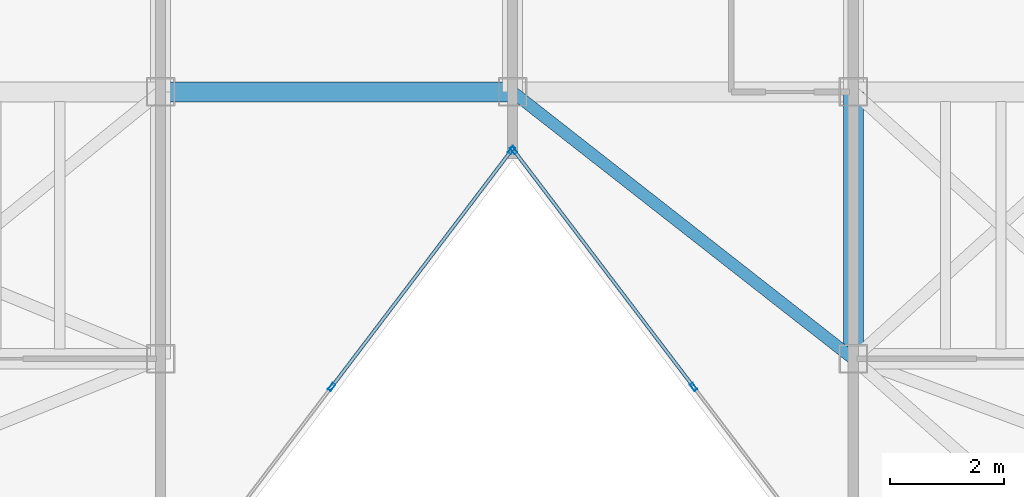
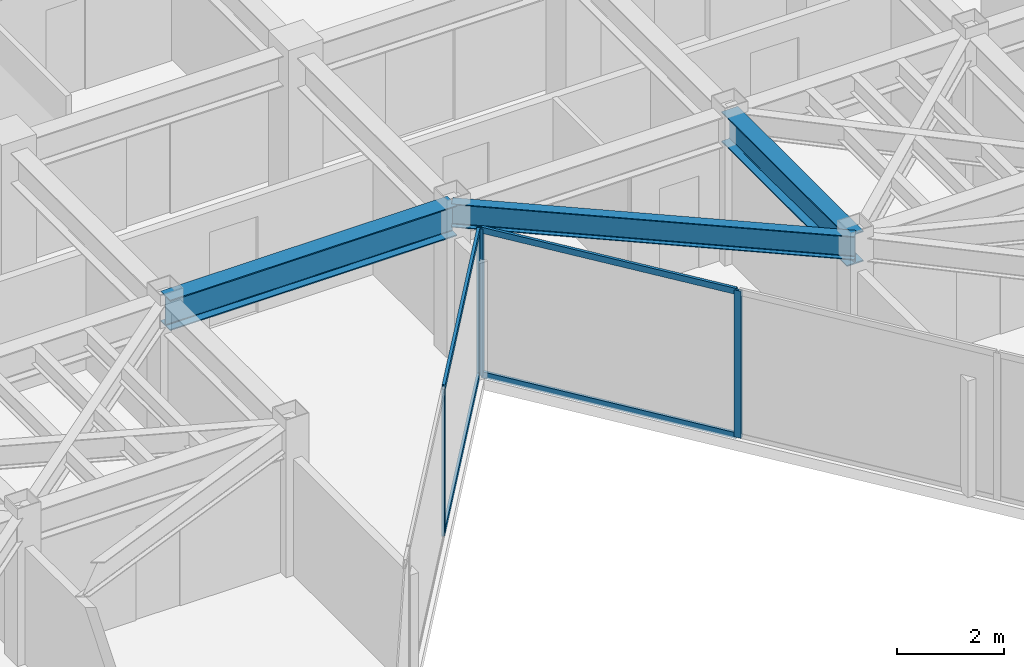
# One storey, part 7 of 17: 8 members, 3 beams, 2 elements without a shape of their own.
"""IFC4 building model written with IfcOpenShell, lengths in metres."""

from ifc_helpers import new_model, si_unit, direction, frame, origin, origin_2d, place, context, subcontext, project, spatial, hollow_rectangle, i_section, extrude, material, layer, layer_set, material_profile, profile_set, type_object, element, aggregate, save


model = new_model("IFC4")

# Units and contexts
model_context = context("Model", 3, precision=1e-05, world=origin(), true_north=direction((0.0, 1.0)))
body_context = subcontext(model_context, "Body", "Model", "MODEL_VIEW")
ifc_project = project(units=[si_unit("LENGTHUNIT", "METRE"), si_unit("AREAUNIT", "SQUARE_METRE"), si_unit("VOLUMEUNIT", "CUBIC_METRE"), si_unit("PLANEANGLEUNIT", "RADIAN"), si_unit("MASSUNIT", "GRAM", prefix="KILO")], contexts=[model_context])

# Site, building, storey
site_placement = place(None, origin())
site = spatial("IfcSite", under=ifc_project, at=site_placement, CompositionType="ELEMENT")
building_placement = place(site_placement, origin())
building = spatial("IfcBuilding", under=site, at=building_placement, Name="Kravanh Interchange Tower", CompositionType="ELEMENT")
storey_placement = place(building_placement, frame((0.0, 0.0, 256.199951171875)))
storey = spatial("IfcBuildingStorey", under=building, at=storey_placement, Name="L62", CompositionType="ELEMENT", Elevation=256.199951171875)

# Curtain wall, members
ifc_material_1 = material(Name="Anodised Bronze Aluminium", Category="aluminium")
ifc_layer = layer(ifc_material_1, 0.179931640625)
ifc_layer_set = layer_set([ifc_layer], Name="Unitised Curtain Wall System CW-HTL Luxury Hotel")
curtain_wall_type = type_object("IfcCurtainWallType", Name="Unitised Curtain Wall System CW-HTL Luxury Hotel", PredefinedType="NOTDEFINED", material=ifc_layer_set)
curtain_wall_1_placement = place(storey_placement, origin())
curtain_wall_1 = element("IfcCurtainWall", 1, at=curtain_wall_1_placement, inside=storey, type_object=curtain_wall_type, Name="L62 Unitised Curtain Wall CW-L62-03", PredefinedType="NOTDEFINED")
ifc_material_2 = material(Name="Anodised Bronze Aluminium", Category="aluminium")
ifc_material_profile_1 = material_profile(ifc_material_2, hollow_rectangle(XDim=0.06005859375, YDim=0.139892578125, WallThickness=0.00390625, at=origin_2d()), Name="ALU60X140X4")
ifc_profile_set_1 = profile_set([ifc_material_profile_1], Name="Anodised Bronze Aluminium")
member_type_1 = type_object("IfcMemberType", Name="Curtain Wall Mullion ALU60X140X4 Bronze", PredefinedType="MULLION", material=ifc_profile_set_1)
member_1_placement = place(storey_placement, frame((47.986572265625, 26.305419921875, 0.0), z_axis=(0.0, 0.0, 1.0), x_axis=(-0.79616243806, -0.605082946564, 0.0)))
member_1 = element("IfcMember", 2, at=member_1_placement, type_object=member_type_1, Name="CW-HTL mullion 3", PredefinedType="MULLION", context=body_context, shape_type="SweptSolid", body=[
    extrude(hollow_rectangle(XDim=0.06005859375, YDim=0.139892578125, WallThickness=0.00390625, at=origin_2d()), origin(), (0.0, 0.0, 1.0), 3.360107421875),
])
member_2_placement = place(storey_placement, frame((44.818115234375, 30.474365234375, 0.0), z_axis=(0.0, 0.0, 1.0), x_axis=(-0.79616243806, -0.605082946564, 0.0)))
member_2 = element("IfcMember", 3, at=member_2_placement, type_object=member_type_1, Name="CW-HTL mullion 4", PredefinedType="MULLION", context=body_context, shape_type="SweptSolid", body=[
    extrude(hollow_rectangle(XDim=0.06005859375, YDim=0.139892578125, WallThickness=0.00390625, at=origin_2d()), origin(), (0.0, 0.0, 1.0), 3.360107421875),
])

curtain_wall_2_placement = place(storey_placement, origin())
curtain_wall_2 = element("IfcCurtainWall", 4, at=curtain_wall_2_placement, inside=storey, type_object=curtain_wall_type, Name="L62 Unitised Curtain Wall CW-L62-04", PredefinedType="NOTDEFINED")
member_3_placement = place(storey_placement, frame((44.78173828125, 30.474365234375, 0.0), z_axis=(0.0, 0.0, 1.0), x_axis=(0.79616243806, -0.605082946564, 0.0)))
member_3 = element("IfcMember", 5, at=member_3_placement, type_object=member_type_1, Name="CW-HTL mullion 1", PredefinedType="MULLION", context=body_context, shape_type="SweptSolid", body=[
    extrude(hollow_rectangle(XDim=0.06005859375, YDim=0.139892578125, WallThickness=0.00390625, at=origin_2d()), origin(), (0.0, 0.0, 1.0), 3.360107421875),
])
member_4_placement = place(storey_placement, frame((41.613525390625, 26.305419921875, 0.0), z_axis=(0.0, 0.0, 1.0), x_axis=(0.79616243806, -0.605082946564, 0.0)))
member_4 = element("IfcMember", 6, at=member_4_placement, type_object=member_type_1, Name="CW-HTL mullion 2", PredefinedType="MULLION", context=body_context, shape_type="SweptSolid", body=[
    extrude(hollow_rectangle(XDim=0.06005859375, YDim=0.139892578125, WallThickness=0.00390625, at=origin_2d()), origin(), (0.0, 0.0, 1.0), 3.360107421875),
])

# Member
ifc_material_3 = material(Name="Anodised Bronze Aluminium", Category="aluminium")
ifc_material_profile_2 = material_profile(ifc_material_3, hollow_rectangle(XDim=0.06005859375, YDim=0.139892578125, WallThickness=0.00390625, at=origin_2d()), Name="ALU60X140X4")
ifc_profile_set_2 = profile_set([ifc_material_profile_2], Name="Anodised Bronze Aluminium")
member_type_2 = type_object("IfcMemberType", Name="Curtain Wall Transom ALU60X140X4 Bronze", PredefinedType="USERDEFINED", material=ifc_profile_set_2)
member_5_placement = place(storey_placement, frame((47.96826171875, 26.329345703125, 0.030029296875), z_axis=(-0.605059348861, 0.796180371747, 0.0), x_axis=(-0.796180371747, -0.605059348861, 0.0)))
member_5 = element("IfcMember", 7, at=member_5_placement, type_object=member_type_2, Name="CW-HTL transom 3.1", ObjectType="TRANSOM", PredefinedType="USERDEFINED", context=body_context, shape_type="SweptSolid", body=[
    extrude(hollow_rectangle(XDim=0.06005859375, YDim=0.139892578125, WallThickness=0.00390625, at=origin_2d()), origin(), (0.0, 0.0, 1.0), 5.176025390625),
])

member_6_placement = place(storey_placement, frame((47.96826171875, 26.329345703125, 3.330078125), z_axis=(-0.605059348861, 0.796180371747, 0.0), x_axis=(-0.796180371747, -0.605059348861, 0.0)))
member_6 = element("IfcMember", 8, at=member_6_placement, type_object=member_type_2, Name="CW-HTL transom 3.2", ObjectType="TRANSOM", PredefinedType="USERDEFINED", context=body_context, shape_type="SweptSolid", body=[
    extrude(hollow_rectangle(XDim=0.06005859375, YDim=0.139892578125, WallThickness=0.00390625, at=origin_2d()), origin(), (0.0, 0.0, 1.0), 5.176025390625),
])

aggregate(curtain_wall_1, [member_1, member_2, member_5, member_6])

member_7_placement = place(storey_placement, frame((44.763671875, 30.450439453125, 0.030029296875), z_axis=(-0.605089246946, -0.796157649734, 0.0), x_axis=(0.796157649734, -0.605089246946, 0.0)))
member_7 = element("IfcMember", 9, at=member_7_placement, type_object=member_type_2, Name="CW-HTL transom 1.1", ObjectType="TRANSOM", PredefinedType="USERDEFINED", context=body_context, shape_type="SweptSolid", body=[
    extrude(hollow_rectangle(XDim=0.06005859375, YDim=0.139892578125, WallThickness=0.00390625, at=origin_2d()), origin(), (0.0, 0.0, 1.0), 5.17626953125),
])

member_8_placement = place(storey_placement, frame((44.763671875, 30.450439453125, 3.330078125), z_axis=(-0.605089246946, -0.796157649734, 0.0), x_axis=(0.796157649734, -0.605089246946, 0.0)))
member_8 = element("IfcMember", 10, at=member_8_placement, type_object=member_type_2, Name="CW-HTL transom 1.2", ObjectType="TRANSOM", PredefinedType="USERDEFINED", context=body_context, shape_type="SweptSolid", body=[
    extrude(hollow_rectangle(XDim=0.06005859375, YDim=0.139892578125, WallThickness=0.00390625, at=origin_2d()), origin(), (0.0, 0.0, 1.0), 5.17626953125),
])

aggregate(curtain_wall_2, [member_3, member_4, member_7, member_8])

# Beams
ifc_material_4 = material(Name="Structural Steel S355", Category="steel")
ifc_material_profile_3 = material_profile(ifc_material_4, i_section(OverallWidth=0.35498046875, OverallDepth=0.696044921875, WebThickness=0.015380859375, FlangeThickness=0.02490234375, FilletRadius=0.02392578125, at=origin_2d()), Name="W27X146")
ifc_profile_set_3 = profile_set([ifc_material_profile_3], Name="Structural Steel S355")
beam_type_1 = type_object("IfcBeamType", Name="Floor Beam W27X146 Structural Steel S355", PredefinedType="BEAM", material=ifc_profile_set_3)
beam_1_placement = place(storey_placement, frame((44.800048828125, 31.5, 3.011962890625), z_axis=(-1.0, 0.0, 0.0), x_axis=(0.0, -1.0, 0.0)))
element("IfcBeam", 11, at=beam_1_placement, inside=storey, type_object=beam_type_1, Name="L62 Primary Floor Girder 3", PredefinedType="BEAM", context=body_context, shape_type="SweptSolid", body=[
    extrude(i_section(OverallWidth=0.35498046875, OverallDepth=0.696044921875, WebThickness=0.015380859375, FlangeThickness=0.02490234375, FilletRadius=0.02392578125, at=origin_2d()), origin(), (0.0, 0.0, 1.0), 6.199951171875),
])
beam_2_placement = place(storey_placement, frame((50.800048828125, 31.5, 3.011962890625), z_axis=(0.0, -1.0, 0.0), x_axis=(1.0, 0.0, 0.0)))
element("IfcBeam", 12, at=beam_2_placement, inside=storey, type_object=beam_type_1, Name="L62 Primary Floor Girder 5", PredefinedType="BEAM", context=body_context, shape_type="SweptSolid", body=[
    extrude(i_section(OverallWidth=0.35498046875, OverallDepth=0.696044921875, WebThickness=0.015380859375, FlangeThickness=0.02490234375, FilletRadius=0.02392578125, at=origin_2d()), origin(), (0.0, 0.0, 1.0), 4.699951171875),
])
ifc_material_5 = material(Name="Structural Steel S355", Category="steel")
ifc_material_profile_4 = material_profile(ifc_material_5, i_section(OverallWidth=0.2099609375, OverallDepth=0.537109375, WebThickness=0.010986328125, FlangeThickness=0.017333984375, FilletRadius=0.02001953125, at=origin_2d()), Name="W21X68")
ifc_profile_set_4 = profile_set([ifc_material_profile_4], Name="Structural Steel S355")
beam_type_2 = type_object("IfcBeamType", Name="Floor Spandrel W21X68 Structural Steel S355", PredefinedType="SPANDREL", material=ifc_profile_set_4)
beam_3_placement = place(storey_placement, frame((44.800048828125, 31.5, 3.091552734375), z_axis=(0.787231163579, -0.616658004967, 0.0), x_axis=(0.616658004967, 0.787231163579, 0.0)))
element("IfcBeam", 13, at=beam_3_placement, inside=storey, type_object=beam_type_2, Name="L62 Perimeter Spandrel 4", PredefinedType="SPANDREL", context=body_context, shape_type="SweptSolid", body=[
    extrude(i_section(OverallWidth=0.2099609375, OverallDepth=0.537109375, WebThickness=0.010986328125, FlangeThickness=0.017333984375, FilletRadius=0.02001953125, at=origin_2d()), origin(), (0.0, 0.0, 1.0), 7.62158203125),
])

save(model, "model.ifc")
